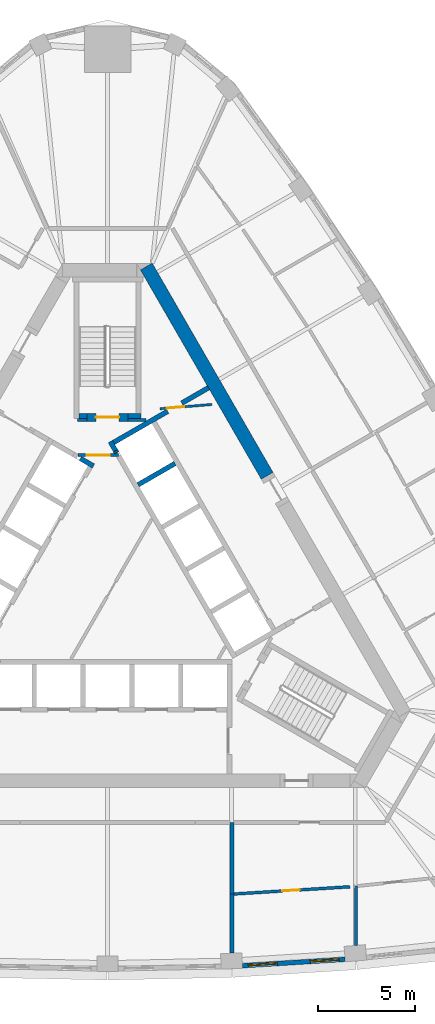
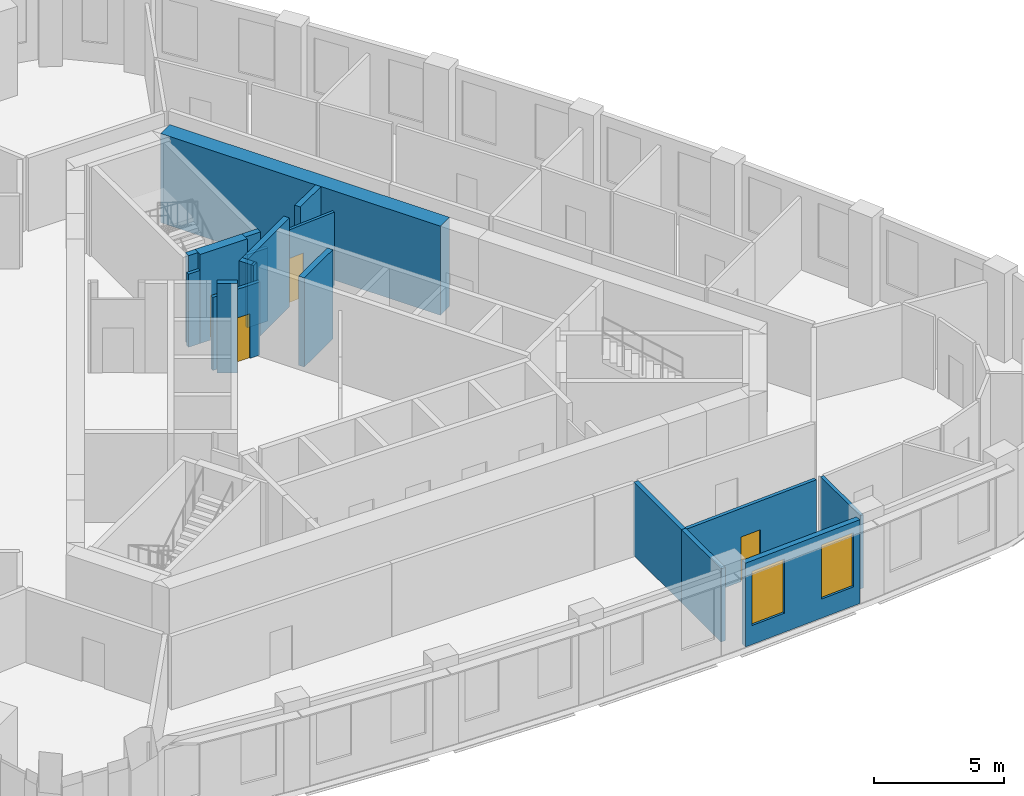
# One storey, part 5 of 10: 19 walls, 4 doors, 2 windows, 6 openings.
"""IFC4 building model written with IfcOpenShell, lengths in metres."""

from ifc_helpers import new_model, si_unit, direction, frame, frame_2d, origin, place, context, subcontext, project, spatial, rectangle, extrude, material, layer, layer_set, type_object, element, fill, save


model = new_model("IFC4")

# Units and contexts
model_context = context("Model", 3, precision=1e-05, world=origin(), true_north=direction((0.0, 1.0)))
body_context = subcontext(model_context, "Body", "Model", "MODEL_VIEW")
ifc_project = project(units=[si_unit("LENGTHUNIT", "METRE"), si_unit("AREAUNIT", "SQUARE_METRE"), si_unit("VOLUMEUNIT", "CUBIC_METRE"), si_unit("PLANEANGLEUNIT", "RADIAN"), si_unit("MASSUNIT", "GRAM", prefix="KILO")], contexts=[model_context])

# Site, building, storey
site_placement = place(None, origin())
site = spatial("IfcSite", under=ifc_project, at=site_placement, CompositionType="ELEMENT")
building_placement = place(site_placement, origin())
building = spatial("IfcBuilding", under=site, at=building_placement, Name="Mestral Congress Tower", CompositionType="ELEMENT")
storey_placement = place(building_placement, frame((0.0, 0.0, 231.0)))
storey = spatial("IfcBuildingStorey", under=building, at=storey_placement, Name="L54", CompositionType="ELEMENT", Elevation=231.0)

# Walls
ifc_material_1 = material(Name="Fire-rated board partition")
ifc_layer_1 = layer(ifc_material_1, 0.14990234375)
ifc_layer_set_1 = layer_set([ifc_layer_1], Name="Fire-rated board partition")
wall_type_1 = type_object("IfcWallType", Name="Core partition 150", PredefinedType="PARTITIONING", material=ifc_layer_set_1)
wall_1_placement = place(storey_placement, frame((1.050048828125, 8.62548828125, 0.0), z_axis=(0.0, 0.0, 1.0), x_axis=(1.0, 0.0, 0.0)))
element("IfcWall", 1, at=wall_1_placement, inside=storey, type_object=wall_type_1, Name="L54 core wall", PredefinedType="PARTITIONING", context=body_context, shape_type="SweptSolid", body=[
    extrude(rectangle(XDim=0.9287109375, YDim=0.14990234375, at=frame_2d((0.46435546875, 0.0))), origin(), (0.0, 0.0, 1.0), 3.449951171875),
])
wall_2_placement = place(storey_placement, frame((-1.56396484375, 8.62548828125, 0.0), z_axis=(0.0, 0.0, 1.0), x_axis=(1.0, 0.0, 0.0)))
element("IfcWall", 2, at=wall_2_placement, inside=storey, type_object=wall_type_1, Name="L54 core wall", PredefinedType="PARTITIONING", context=body_context, shape_type="SweptSolid", body=[
    extrude(rectangle(XDim=0.513916015625, YDim=0.14990234375, at=frame_2d((0.2568359375, 0.0))), origin(), (0.0, 0.0, 1.0), 3.449951171875),
])

# Wall, opening, door
wall_3_placement = place(storey_placement, frame((-1.534423828125, 6.800048828125, 0.0), z_axis=(0.0, 0.0, 1.0), x_axis=(1.0, 0.0, 0.0)))
wall_3 = element("IfcWall", 3, at=wall_3_placement, inside=storey, type_object=wall_type_1, Name="L54 door wall", PredefinedType="PARTITIONING", context=body_context, shape_type="SweptSolid", body=[
    extrude(rectangle(XDim=2.099853515625, YDim=0.14990234375, at=frame_2d((1.0498046875, 0.0))), origin(), (0.0, 0.0, 1.0), 3.449951171875),
])
opening_1_placement = place(wall_3_placement, frame((0.449951171875, 0.0, 0.0)))
opening_1 = element("IfcOpeningElement", 4, at=opening_1_placement, cuts=wall_3, Name="Opening CD2-FF", PredefinedType="OPENING", context=body_context, shape_type="SweptSolid", body=[
    extrude(rectangle(XDim=1.199951171875, YDim=2.10009765625, at=frame_2d((0.60009765625, 1.050048828125))), frame((0.0, 0.0849609375, 0.0), z_axis=(0.0, -1.0, 0.0), x_axis=(1.0, 0.0, 0.0)), (0.0, 0.0, 1.0), 0.169921875),
])
ifc_material_2 = material(Name="Fire-rated steel door set", Category="steel")
door_type_1 = type_object("IfcDoorType", Name="Core door CD 1200x2100", OperationType="SINGLE_SWING_LEFT", PredefinedType="DOOR", material=ifc_material_2)
door_1_placement = place(opening_1_placement, origin())
door_1 = element("IfcDoor", 5, at=door_1_placement, inside=storey, type_object=door_type_1, Name="Door CD2-FF", OperationType="SINGLE_SWING_LEFT", OverallHeight=2.10009765625, OverallWidth=1.199951171875, PredefinedType="DOOR", context=body_context, shape_type="SweptSolid", body=[
    extrude(rectangle(XDim=1.199951171875, YDim=2.10009765625, at=frame_2d((0.60009765625, 1.050048828125))), frame((0.0, 0.02490234375, 0.0), z_axis=(0.0, -1.0, 0.0), x_axis=(1.0, 0.0, 0.0)), (0.0, 0.0, 1.0), 0.050048828125),
])
fill(opening_1, door_1)

ifc_layer_2 = layer(ifc_material_1, 0.1201171875)
ifc_layer_set_2 = layer_set([ifc_layer_2], Name="Fire-rated board partition")
wall_type_2 = type_object("IfcWallType", Name="Core partition 150 door-wall 120", PredefinedType="PARTITIONING", material=ifc_layer_set_2)
wall_4_placement = place(storey_placement, frame((5.3984375, 9.418701171875, 0.0), z_axis=(0.0, 0.0, 1.0), x_axis=(-0.996653416376, -0.081743303248, 0.0)))
wall_4 = element("IfcWall", 6, at=wall_4_placement, inside=storey, type_object=wall_type_2, Name="L54 door wall", PredefinedType="PARTITIONING", context=body_context, shape_type="SweptSolid", body=[
    extrude(rectangle(XDim=2.699951171875, YDim=0.119873046875, at=frame_2d((1.35009765625, 0.0))), origin(), (0.0, 0.0, 1.0), 3.449951171875),
])
opening_2_placement = place(wall_4_placement, frame((1.449951171875, 0.0, 0.0)))
opening_2 = element("IfcOpeningElement", 7, at=opening_2_placement, cuts=wall_4, Name="Opening TD2", PredefinedType="OPENING", context=body_context, shape_type="SweptSolid", body=[
    extrude(rectangle(XDim=0.89990234375, YDim=2.10009765625, at=frame_2d((0.449951171875, 1.050048828125))), frame((0.0, 0.06982421875, 0.0), z_axis=(0.0, -1.0, 0.0), x_axis=(1.0, 0.0, 0.0)), (0.0, 0.0, 1.0), 0.139892578125),
])
door_type_2 = type_object("IfcDoorType", Name="Core door SR 900x2100", OperationType="SINGLE_SWING_LEFT", PredefinedType="DOOR", material=ifc_material_2)
door_2_placement = place(opening_2_placement, origin())
door_2 = element("IfcDoor", 8, at=door_2_placement, inside=storey, type_object=door_type_2, Name="Door TD2", OperationType="SINGLE_SWING_LEFT", OverallHeight=2.10009765625, OverallWidth=0.89990234375, PredefinedType="DOOR", context=body_context, shape_type="SweptSolid", body=[
    extrude(rectangle(XDim=0.89990234375, YDim=2.10009765625, at=frame_2d((0.449951171875, 1.050048828125))), frame((0.0, 0.02490234375, 0.0), z_axis=(0.0, -1.0, 0.0), x_axis=(1.0, 0.0, 0.0)), (0.0, 0.0, 1.0), 0.050048828125),
])
fill(opening_2, door_2)

# Wall
ifc_material_3 = material(Name="Concrete C60/75", Category="concrete")
ifc_layer_3 = layer(ifc_material_3, 0.699951171875)
ifc_layer_set_3 = layer_set([ifc_layer_3], Name="Concrete C60/75")
wall_type_3 = type_object("IfcWallType", Name="Core wall RC 700", PredefinedType="SOLIDWALL", material=ifc_layer_set_3)
wall_5_placement = place(storey_placement, frame((8.235107421875, 5.736083984375, 0.0), z_axis=(0.0, 0.0, 1.0), x_axis=(-0.499983401189, 0.8660349869, 0.0)))
element("IfcWall", 9, at=wall_5_placement, inside=storey, type_object=wall_type_3, Name="L54 core wall", PredefinedType="SOLIDWALL", context=body_context, shape_type="SweptSolid", body=[
    extrude(rectangle(XDim=12.47216796875, YDim=0.699951171875, at=frame_2d((6.236083984375, 0.0))), origin(), (0.0, 0.0, 1.0), 4.199951171875),
])

# Wall, openings, windows
ifc_material_4 = material(Name="Precast concrete C40/50 with limestone facing", Category="masonry")
ifc_layer_4 = layer(ifc_material_4, 0.239990234375)
ifc_layer_set_4 = layer_set([ifc_layer_4], Name="Precast concrete C40/50 with limestone facing")
wall_type_4 = type_object("IfcWallType", Name="Facade stone wall 240", PredefinedType="SOLIDWALL", material=ifc_layer_set_4)
wall_6_placement = place(storey_placement, frame((6.965087890625, -19.54296875, 0.0), z_axis=(0.0, 0.0, 1.0), x_axis=(0.9980633213, 0.062206162685, 0.0)))
wall_6 = element("IfcWall", 10, at=wall_6_placement, inside=storey, type_object=wall_type_4, Name="Facade wall F0-04", PredefinedType="SOLIDWALL", context=body_context, shape_type="SweptSolid", body=[
    extrude(rectangle(XDim=5.29833984375, YDim=0.239990234375, at=frame_2d((2.649169921875, 0.0))), origin(), (0.0, 0.0, 1.0), 3.949951171875),
])
opening_3_placement = place(wall_6_placement, frame((0.294677734375, 0.0, 0.89990234375)))
opening_3 = element("IfcOpeningElement", 11, at=opening_3_placement, cuts=wall_6, Name="Opening W4", PredefinedType="OPENING", context=body_context, shape_type="SweptSolid", body=[
    extrude(rectangle(XDim=1.5, YDim=2.550048828125, at=frame_2d((0.75, 1.27490234375))), frame((0.0, 0.1298828125, 0.0), z_axis=(0.0, -1.0, 0.0), x_axis=(1.0, 0.0, 0.0)), (0.0, 0.0, 1.0), 0.260009765625),
])
opening_4_placement = place(wall_6_placement, frame((3.503662109375, 0.0, 0.89990234375)))
opening_4 = element("IfcOpeningElement", 12, at=opening_4_placement, cuts=wall_6, Name="Opening W4", PredefinedType="OPENING", context=body_context, shape_type="SweptSolid", body=[
    extrude(rectangle(XDim=1.5, YDim=2.550048828125, at=frame_2d((0.75, 1.27490234375))), frame((0.0, 0.1298828125, 0.0), z_axis=(0.0, -1.0, 0.0), x_axis=(1.0, 0.0, 0.0)), (0.0, 0.0, 1.0), 0.260009765625),
])
ifc_material_5 = material(Name="Clear low-emissivity double glazing", Category="glass")
window_type = type_object("IfcWindowType", Name="Facade punched window 1500 x 2550 sill 900", PartitioningType="SINGLE_PANEL", PredefinedType="WINDOW", material=ifc_material_5)
window_1_placement = place(opening_3_placement, origin())
window_1 = element("IfcWindow", 13, at=window_1_placement, inside=storey, type_object=window_type, Name="Window F0-04a", OverallHeight=2.550048828125, OverallWidth=1.5, PartitioningType="SINGLE_PANEL", PredefinedType="WINDOW", context=body_context, shape_type="SweptSolid", body=[
    extrude(rectangle(XDim=1.5, YDim=2.550048828125, at=frame_2d((0.75, 1.27490234375))), frame((0.0, 0.0400390625, 0.0), z_axis=(0.0, -1.0, 0.0), x_axis=(1.0, 0.0, 0.0)), (0.0, 0.0, 1.0), 0.06005859375),
])
fill(opening_3, window_1)
window_2_placement = place(opening_4_placement, origin())
window_2 = element("IfcWindow", 14, at=window_2_placement, inside=storey, type_object=window_type, Name="Window F0-04b", OverallHeight=2.550048828125, OverallWidth=1.5, PartitioningType="SINGLE_PANEL", PredefinedType="WINDOW", context=body_context, shape_type="SweptSolid", body=[
    extrude(rectangle(XDim=1.5, YDim=2.550048828125, at=frame_2d((0.75, 1.27490234375))), frame((0.0, 0.0400390625, 0.0), z_axis=(0.0, -1.0, 0.0), x_axis=(1.0, 0.0, 0.0)), (0.0, 0.0, 1.0), 0.06005859375),
])
fill(opening_4, window_2)

# Wall
ifc_material_6 = material(Name="Plasterboard partition on steel studs", Category="steel")
ifc_layer_5 = layer(ifc_material_6, 0.14990234375)
ifc_layer_set_5 = layer_set([ifc_layer_5], Name="Plasterboard partition on steel studs")
wall_type_5 = type_object("IfcWallType", Name="Office partition 150", PredefinedType="PARTITIONING", material=ifc_layer_set_5)
wall_7_placement = place(storey_placement, frame((12.822509765625, -15.437255859375, 0.0), z_axis=(0.0, 0.0, 1.0), x_axis=(0.0, -1.0, 0.0)))
element("IfcWall", 15, at=wall_7_placement, inside=storey, type_object=wall_type_5, Name="Partition", PredefinedType="PARTITIONING", context=body_context, shape_type="SweptSolid", body=[
    extrude(rectangle(XDim=3.057861328125, YDim=0.14990234375, at=frame_2d((1.52880859375, 0.0))), origin(), (0.0, 0.0, 1.0), 3.449951171875),
])

# Wall, opening, door
wall_8_placement = place(storey_placement, frame((12.5, -15.470703125, 0.0), z_axis=(0.0, 0.0, 1.0), x_axis=(-0.998061916726, -0.0622286942, 0.0)))
wall_8 = element("IfcWall", 16, at=wall_8_placement, inside=storey, type_object=wall_type_5, Name="Partition", PredefinedType="PARTITIONING", context=body_context, shape_type="SweptSolid", body=[
    extrude(rectangle(XDim=5.994873046875, YDim=0.14990234375, at=frame_2d((2.99755859375, 0.0))), origin(), (0.0, 0.0, 1.0), 3.449951171875),
])
opening_5_placement = place(wall_8_placement, frame((2.5947265625, 0.0, 0.0)))
opening_5 = element("IfcOpeningElement", 17, at=opening_5_placement, cuts=wall_8, Name="Opening O08-007", PredefinedType="OPENING", context=body_context, shape_type="SweptSolid", body=[
    extrude(rectangle(XDim=0.89990234375, YDim=2.10009765625, at=frame_2d((0.449951171875, 1.050048828125))), frame((0.0, 0.0849609375, 0.0), z_axis=(0.0, -1.0, 0.0), x_axis=(1.0, 0.0, 0.0)), (0.0, 0.0, 1.0), 0.169921875),
])
ifc_material_7 = material(Name="Timber door set", Category="wood")
door_type_3 = type_object("IfcDoorType", Name="Office door 900x2100", OperationType="SINGLE_SWING_LEFT", PredefinedType="DOOR", material=ifc_material_7)
door_3_placement = place(opening_5_placement, origin())
door_3 = element("IfcDoor", 18, at=door_3_placement, inside=storey, type_object=door_type_3, Name="Door O08-007", OperationType="SINGLE_SWING_RIGHT", OverallHeight=2.10009765625, OverallWidth=0.89990234375, PredefinedType="DOOR", context=body_context, shape_type="SweptSolid", body=[
    extrude(rectangle(XDim=0.89990234375, YDim=2.10009765625, at=frame_2d((0.449951171875, 1.050048828125))), frame((0.0, 0.02490234375, 0.0), z_axis=(0.0, -1.0, 0.0), x_axis=(1.0, 0.0, 0.0)), (0.0, 0.0, 1.0), 0.050048828125),
])
fill(opening_5, door_3)

# Walls
ifc_material_8 = material(Name="Dense masonry wall, plastered", Category="masonry")
ifc_layer_6 = layer(ifc_material_8, 0.199951171875)
ifc_layer_set_6 = layer_set([ifc_layer_6], Name="Dense masonry wall, plastered")
wall_type_6 = type_object("IfcWallType", Name="Office tenancy wall 200", PredefinedType="PARTITIONING", material=ifc_layer_set_6)
wall_9_placement = place(storey_placement, frame((6.416748046875, -15.845947265625, 0.0), z_axis=(0.0, 0.0, 1.0), x_axis=(0.0, -1.0, 0.0)))
element("IfcWall", 19, at=wall_9_placement, inside=storey, type_object=wall_type_6, Name="Tenancy wall", PredefinedType="PARTITIONING", context=body_context, shape_type="SweptSolid", body=[
    extrude(rectangle(XDim=3.05078125, YDim=0.199951171875, at=frame_2d((1.525390625, 0.0))), origin(), (0.0, 0.0, 1.0), 3.449951171875),
])
wall_10_placement = place(storey_placement, frame((6.416748046875, -12.14990234375, 0.0), z_axis=(0.0, 0.0, 1.0), x_axis=(0.0, -1.0, 0.0)))
element("IfcWall", 20, at=wall_10_placement, inside=storey, type_object=wall_type_6, Name="Tenancy wall", PredefinedType="PARTITIONING", context=body_context, shape_type="SweptSolid", body=[
    extrude(rectangle(XDim=3.7041015625, YDim=0.199951171875, at=frame_2d((1.85205078125, 0.0))), origin(), (0.0, 0.0, 1.0), 3.449951171875),
])
ifc_layer_7 = layer(ifc_material_3, 0.25)
ifc_layer_set_7 = layer_set([ifc_layer_7], Name="Concrete C60/75")
wall_type_7 = type_object("IfcWallType", Name="Shaft wall RC 250", PredefinedType="SOLIDWALL", material=ifc_layer_set_7)
wall_11_placement = place(storey_placement, frame((0.473388671875, 6.93017578125, 0.0), z_axis=(0.0, 0.0, 1.0), x_axis=(-0.49972245349, 0.866185586049, 0.0)))
element("IfcWall", 21, at=wall_11_placement, inside=storey, type_object=wall_type_7, Name="L54 core wall", PredefinedType="SOLIDWALL", context=body_context, shape_type="SweptSolid", body=[
    extrude(rectangle(XDim=0.10986328125, YDim=0.25, at=frame_2d((0.054931640625, 0.0))), origin(), (0.0, 0.0, 1.0), 4.199951171875),
])
wall_12_placement = place(storey_placement, frame((0.41748046875, 7.027099609375, 0.0), z_axis=(0.0, 0.0, 1.0), x_axis=(-0.500210807569, 0.865903659763, 0.0)))
element("IfcWall", 22, at=wall_12_placement, inside=storey, type_object=wall_type_7, Name="L54 core wall", PredefinedType="SOLIDWALL", context=body_context, shape_type="SweptSolid", body=[
    extrude(rectangle(XDim=0.548095703125, YDim=0.25, at=frame_2d((0.27392578125, 0.0))), origin(), (0.0, 0.0, 1.0), 4.199951171875),
])
wall_13_placement = place(storey_placement, frame((3.10009765625, 9.064453125, 0.0), z_axis=(0.0, 0.0, 1.0), x_axis=(-0.866030133475, -0.499991807846, 0.0)))
element("IfcWall", 23, at=wall_13_placement, inside=storey, type_object=wall_type_7, Name="L54 core wall", PredefinedType="SOLIDWALL", context=body_context, shape_type="SweptSolid", body=[
    extrude(rectangle(XDim=3.216796875, YDim=0.25, at=frame_2d((1.6083984375, 0.0))), origin(), (0.0, 0.0, 1.0), 4.199951171875),
])
wall_14_placement = place(storey_placement, frame((1.57421875, 5.273681640625, 0.0), z_axis=(0.0, 0.0, 1.0), x_axis=(0.866028486751, 0.499994660107, 0.0)))
element("IfcWall", 24, at=wall_14_placement, inside=storey, type_object=wall_type_7, Name="L54 core wall", PredefinedType="SOLIDWALL", context=body_context, shape_type="SweptSolid", body=[
    extrude(rectangle(XDim=2.19970703125, YDim=0.25, at=frame_2d((1.099853515625, 0.0))), origin(), (0.0, 0.0, 1.0), 4.199951171875),
])
wall_15_placement = place(storey_placement, frame((3.82958984375, 9.485595703125, 0.0), z_axis=(0.0, 0.0, 1.0), x_axis=(0.865986202621, 0.500067892261, 0.0)))
element("IfcWall", 25, at=wall_15_placement, inside=storey, type_object=wall_type_7, Name="L54 core wall", PredefinedType="SOLIDWALL", context=body_context, shape_type="SweptSolid", body=[
    extrude(rectangle(XDim=1.590576171875, YDim=0.25, at=frame_2d((0.79541015625, 0.0))), origin(), (0.0, 0.0, 1.0), 4.199951171875),
])
wall_16_placement = place(storey_placement, frame((-0.7275390625, 6.23974609375, 0.0), z_axis=(0.0, 0.0, 1.0), x_axis=(-0.865955664968, 0.500120771724, 0.0)))
element("IfcWall", 26, at=wall_16_placement, inside=storey, type_object=wall_type_7, Name="L54 core wall", PredefinedType="SOLIDWALL", context=body_context, shape_type="SweptSolid", body=[
    extrude(rectangle(XDim=0.778076171875, YDim=0.25, at=frame_2d((0.38916015625, 0.0))), origin(), (0.0, 0.0, 1.0), 4.199951171875),
])
ifc_layer_8 = layer(ifc_material_3, 0.25)
ifc_layer_set_8 = layer_set([ifc_layer_8], Name="Concrete C60/75")
wall_type_8 = type_object("IfcWallType", Name="Stair wall RC 250", PredefinedType="SOLIDWALL", material=ifc_layer_set_8)
wall_17_placement = place(storey_placement, frame((1.050048828125, 8.824951171875, 0.0), z_axis=(0.0, 0.0, 1.0), x_axis=(1.0, 0.0, 0.0)))
element("IfcWall", 27, at=wall_17_placement, inside=storey, type_object=wall_type_8, Name="L54 core wall", PredefinedType="SOLIDWALL", context=body_context, shape_type="SweptSolid", body=[
    extrude(rectangle(XDim=0.675048828125, YDim=0.25, at=frame_2d((0.33740234375, 0.0))), origin(), (0.0, 0.0, 1.0), 4.199951171875),
])
wall_18_placement = place(storey_placement, frame((-1.47509765625, 8.824951171875, 0.0), z_axis=(0.0, 0.0, 1.0), x_axis=(1.0, 0.0, 0.0)))
element("IfcWall", 28, at=wall_18_placement, inside=storey, type_object=wall_type_8, Name="L54 core wall", PredefinedType="SOLIDWALL", context=body_context, shape_type="SweptSolid", body=[
    extrude(rectangle(XDim=0.425048828125, YDim=0.25, at=frame_2d((0.21240234375, 0.0))), origin(), (0.0, 0.0, 1.0), 4.199951171875),
])

# Wall, opening, door
ifc_layer_9 = layer(ifc_material_3, 0.39990234375)
ifc_layer_set_9 = layer_set([ifc_layer_9], Name="Concrete C60/75")
wall_type_9 = type_object("IfcWallType", Name="Stair wall RC 250 door-wall 400", PredefinedType="SOLIDWALL", material=ifc_layer_set_9)
wall_19_placement = place(storey_placement, frame((1.050048828125, 8.75, 0.0), z_axis=(0.0, 0.0, 1.0), x_axis=(-1.0, 0.0, 0.0)))
wall_19 = element("IfcWall", 29, at=wall_19_placement, inside=storey, type_object=wall_type_9, Name="L54 door wall", PredefinedType="SOLIDWALL", context=body_context, shape_type="SweptSolid", body=[
    extrude(rectangle(XDim=2.10009765625, YDim=0.39990234375, at=frame_2d((1.050048828125, 0.0))), origin(), (0.0, 0.0, 1.0), 4.199951171875),
])
opening_6_placement = place(wall_19_placement, frame((0.449951171875, 0.0, 0.0)))
opening_6 = element("IfcOpeningElement", 30, at=opening_6_placement, cuts=wall_19, Name="Opening ST-D2", PredefinedType="OPENING", context=body_context, shape_type="SweptSolid", body=[
    extrude(rectangle(XDim=1.199951171875, YDim=2.10009765625, at=frame_2d((0.60009765625, 1.050048828125))), frame((0.0, 0.2099609375, 0.0), z_axis=(0.0, -1.0, 0.0), x_axis=(1.0, 0.0, 0.0)), (0.0, 0.0, 1.0), 0.419921875),
])
door_type_4 = type_object("IfcDoorType", Name="Core door ST 1200x2100", OperationType="SINGLE_SWING_LEFT", PredefinedType="DOOR", material=ifc_material_2)
door_4_placement = place(opening_6_placement, origin())
door_4 = element("IfcDoor", 31, at=door_4_placement, inside=storey, type_object=door_type_4, Name="Door ST-D2", OperationType="SINGLE_SWING_LEFT", OverallHeight=2.10009765625, OverallWidth=1.199951171875, PredefinedType="DOOR", context=body_context, shape_type="SweptSolid", body=[
    extrude(rectangle(XDim=1.199951171875, YDim=2.10009765625, at=frame_2d((0.60009765625, 1.050048828125))), frame((0.0, 0.02490234375, 0.0), z_axis=(0.0, -1.0, 0.0), x_axis=(1.0, 0.0, 0.0)), (0.0, 0.0, 1.0), 0.050048828125),
])
fill(opening_6, door_4)

save(model, "model.ifc")
